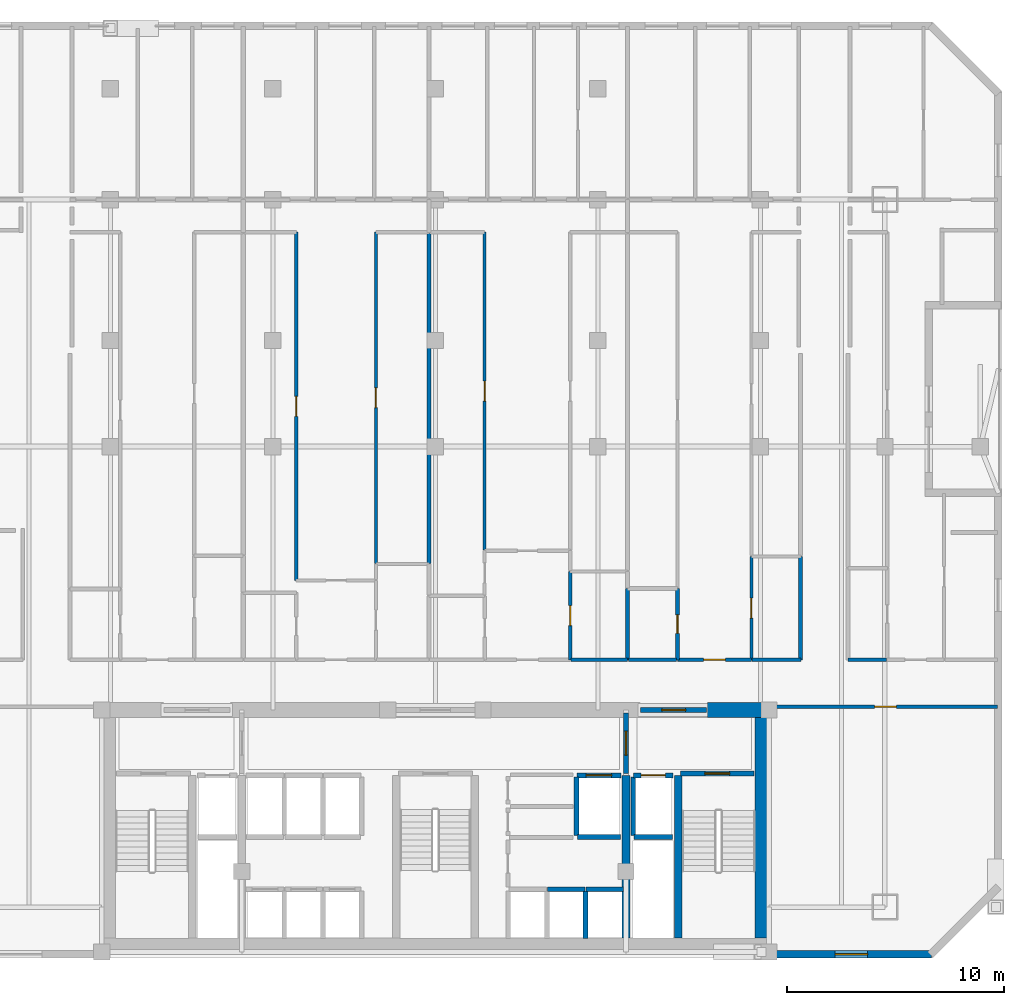
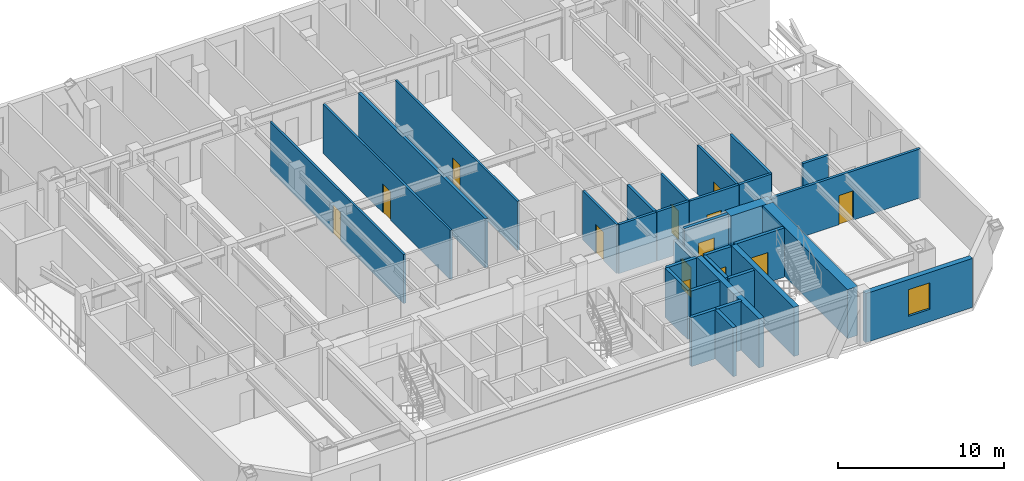
# One storey, part 5 of 11: 32 walls, 13 doors, 1 window, 14 openings.
"""IFC4 building model written with IfcOpenShell, lengths in metres."""

from ifc_helpers import new_model, si_unit, direction, frame, frame_2d, origin, place, context, subcontext, project, spatial, rectangle, extrude, material, layer, layer_set, type_object, element, fill, save


model = new_model("IFC4")

# Units and contexts
model_context = context("Model", 3, precision=1e-05, world=origin(), true_north=direction((0.0, 1.0)))
body_context = subcontext(model_context, "Body", "Model", "MODEL_VIEW")
ifc_project = project(units=[si_unit("LENGTHUNIT", "METRE"), si_unit("AREAUNIT", "SQUARE_METRE"), si_unit("VOLUMEUNIT", "CUBIC_METRE"), si_unit("PLANEANGLEUNIT", "RADIAN"), si_unit("MASSUNIT", "GRAM", prefix="KILO")], contexts=[model_context])

# Site, building, storey
site_placement = place(None, origin())
site = spatial("IfcSite", under=ifc_project, at=site_placement, CompositionType="ELEMENT")
building_placement = place(site_placement, origin())
building = spatial("IfcBuilding", under=site, at=building_placement, Name="Ventersveld Concourse Tower", CompositionType="ELEMENT")
storey_placement = place(building_placement, frame((0.0, 0.0, 119.550048828125)))
storey = spatial("IfcBuildingStorey", under=building, at=storey_placement, Name="L29", CompositionType="ELEMENT", Elevation=119.550048828125)

# Walls
ifc_material_1 = material(Name="Concrete C60/75", Category="concrete")
ifc_layer_1 = layer(ifc_material_1, 0.35009765625)
ifc_layer_set_1 = layer_set([ifc_layer_1], Name="Concrete C60/75")
wall_type_1 = type_object("IfcWallType", Name="WL-CORE-350L", PredefinedType="SHEAR", material=ifc_layer_set_1)
for number, where, z_axis, x_axis, name in (
    (1, (37.550048828125, 0.919921875, 0.0), (0.0, 0.0, 1.0), (0.0, 1.0, 0.0), "L29 Core Internal Shear Web W-SVL-W"),
    (2, (39.9599609375, 0.919921875, 0.0), (0.0, 0.0, 1.0), (0.0, 1.0, 0.0), "L29 Core Internal Shear Web W-ST2-W"),
):
    element("IfcWall", number, at=place(storey_placement, frame(where, z_axis=z_axis, x_axis=x_axis)), inside=storey, type_object=wall_type_1, Name=name, PredefinedType="SHEAR", context=body_context, shape_type="SweptSolid", body=[
        extrude(rectangle(XDim=7.5, YDim=0.35009765625, at=frame_2d((3.75, 0.0))), origin(), (0.0, 0.0, 1.0), 3.599853515625),
    ])
ifc_layer_2 = layer(ifc_material_1, 0.699951171875)
ifc_layer_set_2 = layer_set([ifc_layer_2], Name="Concrete C60/75")
wall_type_2 = type_object("IfcWallType", Name="WL-CORE-700", PredefinedType="SHEAR", material=ifc_layer_set_2)
wall_1_placement = place(storey_placement, frame((43.85009765625, 0.919921875, 0.0), z_axis=(0.0, 0.0, 1.0), x_axis=(0.0, 1.0, 0.0)))
element("IfcWall", 3, at=wall_1_placement, inside=storey, type_object=wall_type_2, Name="L29 Rear Core East Shear Wall", PredefinedType="SHEAR", context=body_context, shape_type="SweptSolid", body=[
    extrude(rectangle(XDim=10.530029296875, YDim=0.699951171875, at=frame_2d((5.26513671875, 0.0))), origin(), (0.0, 0.0, 1.0), 3.599853515625),
])
wall_2_placement = place(storey_placement, frame((41.300048828125, 11.449951171875, 0.0), z_axis=(0.0, 0.0, 1.0), x_axis=(1.0, 0.0, 0.0)))
element("IfcWall", 4, at=wall_2_placement, inside=storey, type_object=wall_type_2, Name="L29 Rear Core North Shear Wall NE", PredefinedType="SHEAR", context=body_context, shape_type="SweptSolid", body=[
    extrude(rectangle(XDim=2.949951171875, YDim=0.699951171875, at=frame_2d((1.47509765625, 0.0))), origin(), (0.0, 0.0, 1.0), 3.599853515625),
])

# Wall, opening, door
ifc_material_2 = material(Name="Fire-rated autoclaved aerated masonry blockwork", Category="masonry")
ifc_layer_3 = layer(ifc_material_2, 0.179931640625)
ifc_layer_set_3 = layer_set([ifc_layer_3], Name="Fire-rated autoclaved aerated masonry blockwork")
wall_type_3 = type_object("IfcWallType", Name="WL-CORR-180", PredefinedType="PARTITIONING", material=ifc_layer_set_3)
wall_3_placement = place(storey_placement, frame((44.35498046875, 11.60009765625, 0.0), z_axis=(0.0, 0.0, 1.0), x_axis=(1.0, 0.0, 0.0)))
wall_3 = element("IfcWall", 5, at=wall_3_placement, inside=storey, type_object=wall_type_3, Name="L29 Interior Partition SP-L29-SE-OFF-SP-L29-COR", PredefinedType="PARTITIONING", context=body_context, shape_type="SweptSolid", body=[
    extrude(rectangle(XDim=10.3349609375, YDim=0.179931640625, at=frame_2d((5.16748046875, 0.0))), origin(), (0.0, 0.0, 1.0), 3.599853515625),
])
opening_1_placement = place(wall_3_placement, frame((4.66748046875, 0.0, 0.0)))
opening_1 = element("IfcOpeningElement", 6, at=opening_1_placement, cuts=wall_3, Name="Opening FD3", PredefinedType="OPENING", context=body_context, shape_type="SweptSolid", body=[
    extrude(rectangle(XDim=1.0, YDim=2.14990234375, at=frame_2d((0.5, 1.074951171875))), frame((0.0, 0.10009765625, 0.0), z_axis=(0.0, -1.0, 0.0), x_axis=(1.0, 0.0, 0.0)), (0.0, 0.0, 1.0), 0.199951171875),
])
ifc_material_3 = material(Name="Solid-core hardwood veneer timber", Category="wood")
door_type_1 = type_object("IfcDoorType", Name="DR-FLAT-100", OperationType="NOTDEFINED", PredefinedType="DOOR", material=ifc_material_3)
door_1_placement = place(opening_1_placement, origin())
door_1 = element("IfcDoor", 7, at=door_1_placement, inside=storey, type_object=door_type_1, Name="L29 Interior Door SP-L29-SE-OFF to SP-L29-COR (D-L29-1431)", OperationType="SINGLE_SWING_LEFT", OverallHeight=2.14990234375, OverallWidth=1.0, PredefinedType="DOOR", context=body_context, shape_type="SweptSolid", body=[
    extrude(rectangle(XDim=1.0, YDim=2.14990234375, at=frame_2d((0.5, 1.074951171875))), frame((0.0, 0.02490234375, 0.0), z_axis=(0.0, -1.0, 0.0), x_axis=(1.0, 0.0, 0.0)), (0.0, 0.0, 1.0), 0.050048828125),
])
fill(opening_1, door_1)

# Walls
wall_4_placement = place(storey_placement, frame((47.784912109375, 13.77001953125, 0.0), z_axis=(0.0, 0.0, 1.0), x_axis=(1.0, 0.0, 0.0)))
element("IfcWall", 8, at=wall_4_placement, inside=storey, type_object=wall_type_3, Name="L29 Interior Partition SP-L29-COR-SP-L29-29NE-BATH", PredefinedType="PARTITIONING", context=body_context, shape_type="SweptSolid", body=[
    extrude(rectangle(XDim=1.784423828125, YDim=0.179931640625, at=frame_2d((0.89208984375, 0.0))), origin(), (0.0, 0.0, 1.0), 3.599853515625),
])
wall_5_placement = place(storey_placement, frame((35.0126953125, 13.77001953125, 0.0), z_axis=(0.0, 0.0, 1.0), x_axis=(1.0, 0.0, 0.0)))
element("IfcWall", 9, at=wall_5_placement, inside=storey, type_object=wall_type_3, Name="L29 Interior Partition SP-L29-COR-SP-L29-29N3-KIT", PredefinedType="PARTITIONING", context=body_context, shape_type="SweptSolid", body=[
    extrude(rectangle(XDim=2.613037109375, YDim=0.179931640625, at=frame_2d((1.306640625, 0.0))), origin(), (0.0, 0.0, 1.0), 3.599853515625),
])

# Wall, opening, door
wall_6_placement = place(storey_placement, frame((39.92041015625, 13.77001953125, 0.0), z_axis=(0.0, 0.0, 1.0), x_axis=(1.0, 0.0, 0.0)))
wall_6 = element("IfcWall", 10, at=wall_6_placement, inside=storey, type_object=wall_type_3, Name="L29 Interior Partition SP-L29-COR-SP-L29-29N4-LIV", PredefinedType="PARTITIONING", context=body_context, shape_type="SweptSolid", body=[
    extrude(rectangle(XDim=3.42236328125, YDim=0.179931640625, at=frame_2d((1.711181640625, 0.0))), origin(), (0.0, 0.0, 1.0), 3.599853515625),
])
opening_2_placement = place(wall_6_placement, frame((1.211181640625, 0.0, 0.0)))
opening_2 = element("IfcOpeningElement", 11, at=opening_2_placement, cuts=wall_6, Name="Opening FD3", PredefinedType="OPENING", context=body_context, shape_type="SweptSolid", body=[
    extrude(rectangle(XDim=1.0, YDim=2.14990234375, at=frame_2d((0.5, 1.074951171875))), frame((0.0, 0.10009765625, 0.0), z_axis=(0.0, -1.0, 0.0), x_axis=(1.0, 0.0, 0.0)), (0.0, 0.0, 1.0), 0.199951171875),
])
door_2_placement = place(opening_2_placement, origin())
door_2 = element("IfcDoor", 12, at=door_2_placement, inside=storey, type_object=door_type_1, Name="L29 Interior Door SP-L29-COR to SP-L29-29N4-LIV (FD-L29-1437)", OperationType="SINGLE_SWING_LEFT", OverallHeight=2.14990234375, OverallWidth=1.0, PredefinedType="DOOR", context=body_context, shape_type="SweptSolid", body=[
    extrude(rectangle(XDim=1.0, YDim=2.14990234375, at=frame_2d((0.5, 1.074951171875))), frame((0.0, 0.02490234375, 0.0), z_axis=(0.0, -1.0, 0.0), x_axis=(1.0, 0.0, 0.0)), (0.0, 0.0, 1.0), 0.050048828125),
])
fill(opening_2, door_2)

# Walls
wall_7_placement = place(storey_placement, frame((37.65576171875, 13.77001953125, 0.0), z_axis=(0.0, 0.0, 1.0), x_axis=(1.0, 0.0, 0.0)))
element("IfcWall", 13, at=wall_7_placement, inside=storey, type_object=wall_type_3, Name="L29 Interior Partition SP-L29-COR-SP-L29-29N4-BATH", PredefinedType="PARTITIONING", context=body_context, shape_type="SweptSolid", body=[
    extrude(rectangle(XDim=2.234619140625, YDim=0.179931640625, at=frame_2d((1.1171875, 0.0))), origin(), (0.0, 0.0, 1.0), 3.599853515625),
])
wall_8_placement = place(storey_placement, frame((45.610107421875, 13.764892578125, 0.0), z_axis=(0.0, 0.0, 1.0), x_axis=(0.0, 1.0, 0.0)))
element("IfcWall", 14, at=wall_8_placement, inside=storey, type_object=wall_type_3, Name="L29 Interior Partition SP-L29-COR-SP-L29-29N4-KIT", PredefinedType="PARTITIONING", context=body_context, shape_type="SweptSolid", body=[
    extrude(rectangle(XDim=4.7783203125, YDim=0.179931640625, at=frame_2d((2.38916015625, 0.0))), origin(), (0.0, 0.0, 1.0), 3.599853515625),
])
wall_9_placement = place(storey_placement, frame((43.372802734375, 13.77001953125, 0.0), z_axis=(0.0, 0.0, 1.0), x_axis=(1.0, 0.0, 0.0)))
element("IfcWall", 15, at=wall_9_placement, inside=storey, type_object=wall_type_3, Name="L29 Interior Partition SP-L29-COR-SP-L29-29N4-KIT", PredefinedType="PARTITIONING", context=body_context, shape_type="SweptSolid", body=[
    extrude(rectangle(XDim=2.2421875, YDim=0.179931640625, at=frame_2d((1.12109375, 0.0))), origin(), (0.0, 0.0, 1.0), 3.599853515625),
])
ifc_layer_4 = layer(ifc_material_2, 0.199951171875)
ifc_layer_set_4 = layer_set([ifc_layer_4], Name="Fire-rated autoclaved aerated masonry blockwork")
wall_type_4 = type_object("IfcWallType", Name="WL-DEMISE-200", PredefinedType="PARTITIONING", material=ifc_layer_set_4)
wall_10_placement = place(storey_placement, frame((28.4560546875, 18.219482421875, 0.0), z_axis=(0.0, 0.0, 1.0), x_axis=(0.0, 1.0, 0.0)))
element("IfcWall", 16, at=wall_10_placement, inside=storey, type_object=wall_type_4, Name="L29 Interior Partition SP-L29-29N2-DENR-SP-L29-29N3-MEDL0", PredefinedType="PARTITIONING", context=body_context, shape_type="SweptSolid", body=[
    extrude(rectangle(XDim=15.24560546875, YDim=0.199951171875, at=frame_2d((7.622802734375, 0.0))), origin(), (0.0, 0.0, 1.0), 3.599853515625),
])
wall_11_placement = place(storey_placement, frame((37.620849609375, 13.764892578125, 0.0), z_axis=(0.0, 0.0, 1.0), x_axis=(0.0, 1.0, 0.0)))
element("IfcWall", 17, at=wall_11_placement, inside=storey, type_object=wall_type_4, Name="L29 Interior Partition SP-L29-29N3-KIT-SP-L29-29N4-BATH", PredefinedType="PARTITIONING", context=body_context, shape_type="SweptSolid", body=[
    extrude(rectangle(XDim=3.29638671875, YDim=0.199951171875, at=frame_2d((1.648193359375, 0.0))), origin(), (0.0, 0.0, 1.0), 3.599853515625),
])
ifc_layer_5 = layer(ifc_material_2, 0.219970703125)
ifc_layer_set_5 = layer_set([ifc_layer_5], Name="Fire-rated autoclaved aerated masonry blockwork")
wall_type_5 = type_object("IfcWallType", Name="WL-HOIST-220", PredefinedType="SOLIDWALL", material=ifc_layer_set_5)
wall_12_placement = place(storey_placement, frame((37.919921875, 5.590087890625, 0.0), z_axis=(0.0, 0.0, 1.0), x_axis=(1.0, 0.0, 0.0)))
element("IfcWall", 18, at=wall_12_placement, inside=storey, type_object=wall_type_5, Name="L29 Lift Hoistway Back Wall FFL-02", PredefinedType="SOLIDWALL", context=body_context, shape_type="SweptSolid", body=[
    extrude(rectangle(XDim=1.780029296875, YDim=0.219970703125, at=frame_2d((0.89013671875, 0.0))), origin(), (0.0, 0.0, 1.0), 3.599853515625),
])
wall_13_placement = place(storey_placement, frame((37.8798828125, 5.64990234375, 0.0), z_axis=(0.0, 0.0, 1.0), x_axis=(0.0, 1.0, 0.0)))
element("IfcWall", 19, at=wall_13_placement, inside=storey, type_object=wall_type_5, Name="L29 Lift Hoistway Side Wall FFL-02W", PredefinedType="SOLIDWALL", context=body_context, shape_type="SweptSolid", body=[
    extrude(rectangle(XDim=2.7001953125, YDim=0.219970703125, at=frame_2d((1.35009765625, 0.0))), origin(), (0.0, 0.0, 1.0), 3.599853515625),
])

# Wall, opening, door
wall_14_placement = place(storey_placement, frame((37.89990234375, 8.429931640625, 0.0), z_axis=(0.0, 0.0, 1.0), x_axis=(1.0, 0.0, 0.0)))
wall_14 = element("IfcWall", 20, at=wall_14_placement, inside=storey, type_object=wall_type_5, Name="L29 Lift Hoistway Front Wall FFL-02", PredefinedType="SOLIDWALL", context=body_context, shape_type="SweptSolid", body=[
    extrude(rectangle(XDim=1.820068359375, YDim=0.219970703125, at=frame_2d((0.91015625, 0.0))), origin(), (0.0, 0.0, 1.0), 3.599853515625),
])
opening_3_placement = place(wall_14_placement, frame((0.35009765625, 0.0, 0.0)))
opening_3 = element("IfcOpeningElement", 21, at=opening_3_placement, cuts=wall_14, Name="Opening LD1", PredefinedType="OPENING", context=body_context, shape_type="SweptSolid", body=[
    extrude(rectangle(XDim=1.1201171875, YDim=2.25, at=frame_2d((0.56005859375, 1.125))), frame((0.0, 0.1201171875, 0.0), z_axis=(0.0, -1.0, 0.0), x_axis=(1.0, 0.0, 0.0)), (0.0, 0.0, 1.0), 0.239990234375),
])
ifc_material_4 = material(Name="Brushed stainless steel 316", Category="steel")
door_type_2 = type_object("IfcDoorType", Name="LD-FF-112", OperationType="SLIDING_TO_LEFT", PredefinedType="DOOR", material=ifc_material_4)
door_3_placement = place(opening_3_placement, origin())
door_3 = element("IfcDoor", 22, at=door_3_placement, inside=storey, type_object=door_type_2, Name="L29 Lift landing door FFL-02 (LD-L29-FFL-02)", OperationType="SLIDING_TO_RIGHT", OverallHeight=2.25, OverallWidth=1.1201171875, PredefinedType="DOOR", context=body_context, shape_type="SweptSolid", body=[
    extrude(rectangle(XDim=1.1201171875, YDim=2.25, at=frame_2d((0.56005859375, 1.125))), frame((0.0, 0.02490234375, 0.0), z_axis=(0.0, -1.0, 0.0), x_axis=(1.0, 0.0, 0.0)), (0.0, 0.0, 1.0), 0.050048828125),
])
fill(opening_3, door_3)

# Walls
wall_15_placement = place(storey_placement, frame((35.300048828125, 5.590087890625, 0.0), z_axis=(0.0, 0.0, 1.0), x_axis=(1.0, 0.0, 0.0)))
element("IfcWall", 23, at=wall_15_placement, inside=storey, type_object=wall_type_5, Name="L29 Lift Hoistway Back Wall SVL-01", PredefinedType="SOLIDWALL", context=body_context, shape_type="SweptSolid", body=[
    extrude(rectangle(XDim=2.0, YDim=0.219970703125, at=frame_2d((1.0, 0.0))), origin(), (0.0, 0.0, 1.0), 3.599853515625),
])
wall_16_placement = place(storey_placement, frame((35.260009765625, 5.64990234375, 0.0), z_axis=(0.0, 0.0, 1.0), x_axis=(0.0, 1.0, 0.0)))
element("IfcWall", 24, at=wall_16_placement, inside=storey, type_object=wall_type_5, Name="L29 Lift Hoistway Side Wall SVL-01W", PredefinedType="SOLIDWALL", context=body_context, shape_type="SweptSolid", body=[
    extrude(rectangle(XDim=2.7001953125, YDim=0.219970703125, at=frame_2d((1.35009765625, 0.0))), origin(), (0.0, 0.0, 1.0), 3.599853515625),
])

# Wall, opening, door
wall_17_placement = place(storey_placement, frame((35.280029296875, 8.429931640625, 0.0), z_axis=(0.0, 0.0, 1.0), x_axis=(1.0, 0.0, 0.0)))
wall_17 = element("IfcWall", 25, at=wall_17_placement, inside=storey, type_object=wall_type_5, Name="L29 Lift Hoistway Front Wall SVL-01", PredefinedType="SOLIDWALL", context=body_context, shape_type="SweptSolid", body=[
    extrude(rectangle(XDim=2.0400390625, YDim=0.219970703125, at=frame_2d((1.02001953125, 0.0))), origin(), (0.0, 0.0, 1.0), 3.599853515625),
])
opening_4_placement = place(wall_17_placement, frame((0.429931640625, 0.0, 0.0)))
opening_4 = element("IfcOpeningElement", 26, at=opening_4_placement, cuts=wall_17, Name="Opening LD2", PredefinedType="OPENING", context=body_context, shape_type="SweptSolid", body=[
    extrude(rectangle(XDim=1.179931640625, YDim=2.199951171875, at=frame_2d((0.58984375, 1.10009765625))), frame((0.0, 0.1201171875, 0.0), z_axis=(0.0, -1.0, 0.0), x_axis=(1.0, 0.0, 0.0)), (0.0, 0.0, 1.0), 0.239990234375),
])
door_type_3 = type_object("IfcDoorType", Name="LD-PAX-118", OperationType="SLIDING_TO_LEFT", PredefinedType="DOOR", material=ifc_material_4)
door_4_placement = place(opening_4_placement, origin())
door_4 = element("IfcDoor", 27, at=door_4_placement, inside=storey, type_object=door_type_3, Name="L29 Lift landing door SVL-01 (LD-L29-SVL-01)", OperationType="SLIDING_TO_LEFT", OverallHeight=2.199951171875, OverallWidth=1.179931640625, PredefinedType="DOOR", context=body_context, shape_type="SweptSolid", body=[
    extrude(rectangle(XDim=1.179931640625, YDim=2.199951171875, at=frame_2d((0.58984375, 1.10009765625))), frame((0.0, 0.02490234375, 0.0), z_axis=(0.0, -1.0, 0.0), x_axis=(1.0, 0.0, 0.0)), (0.0, 0.0, 1.0), 0.050048828125),
])
fill(opening_4, door_4)

# Walls
wall_18_placement = place(storey_placement, frame((35.679931640625, 0.89990234375, 0.0), z_axis=(0.0, 0.0, 1.0), x_axis=(0.0, 1.0, 0.0)))
element("IfcWall", 28, at=wall_18_placement, inside=storey, type_object=wall_type_5, Name="L29 Lift Hoistway Side Wall PM-02E", PredefinedType="SOLIDWALL", context=body_context, shape_type="SweptSolid", body=[
    extrude(rectangle(XDim=2.2001953125, YDim=0.219970703125, at=frame_2d((1.10009765625, 0.0))), origin(), (0.0, 0.0, 1.0), 3.599853515625),
])
for number, where, z_axis, x_axis, name in (
    (29, (33.919921875, 3.179931640625, 0.0), (0.0, 0.0, 1.0), (1.0, 0.0, 0.0), "L29 Lift Hoistway Front Wall PM-02"),
    (30, (35.699951171875, 3.179931640625, 0.0), (0.0, 0.0, 1.0), (1.0, 0.0, 0.0), "L29 Lift Hoistway Front Wall PM-03"),
):
    element("IfcWall", number, at=place(storey_placement, frame(where, z_axis=z_axis, x_axis=x_axis)), inside=storey, type_object=wall_type_5, Name=name, PredefinedType="SOLIDWALL", context=body_context, shape_type="SweptSolid", body=[
        extrude(rectangle(XDim=1.739990234375, YDim=0.219970703125, at=frame_2d((0.8701171875, 0.0))), origin(), (0.0, 0.0, 1.0), 3.599853515625),
    ])

# Wall, opening, door
wall_19_placement = place(storey_placement, frame((40.06005859375, 8.52001953125, 0.0), z_axis=(0.0, 0.0, 1.0), x_axis=(1.0, 0.0, 0.0)))
wall_19 = element("IfcWall", 31, at=wall_19_placement, inside=storey, type_object=wall_type_5, Name="L29 Escape Stair ST02 Fire Wall", PredefinedType="SOLIDWALL", context=body_context, shape_type="SweptSolid", body=[
    extrude(rectangle(XDim=3.39990234375, YDim=0.219970703125, at=frame_2d((1.699951171875, 0.0))), origin(), (0.0, 0.0, 1.0), 3.599853515625),
])
opening_5_placement = place(wall_19_placement, frame((1.125, 0.0, 0.0)))
opening_5 = element("IfcOpeningElement", 32, at=opening_5_placement, cuts=wall_19, Name="Opening FD1", PredefinedType="OPENING", context=body_context, shape_type="SweptSolid", body=[
    extrude(rectangle(XDim=1.14990234375, YDim=2.199951171875, at=frame_2d((0.574951171875, 1.10009765625))), frame((0.0, 0.1201171875, 0.0), z_axis=(0.0, -1.0, 0.0), x_axis=(1.0, 0.0, 0.0)), (0.0, 0.0, 1.0), 0.239990234375),
])
ifc_material_5 = material(Name="Galvanised painted steel", Category="steel")
door_type_4 = type_object("IfcDoorType", Name="DR-STAIR-115", OperationType="NOTDEFINED", PredefinedType="DOOR", material=ifc_material_5)
door_5_placement = place(opening_5_placement, origin())
door_5 = element("IfcDoor", 33, at=door_5_placement, inside=storey, type_object=door_type_4, Name="L29 Escape Stair Door ST02 (SD-L29-1420)", OperationType="SINGLE_SWING_RIGHT", OverallHeight=2.199951171875, OverallWidth=1.14990234375, PredefinedType="DOOR", context=body_context, shape_type="SweptSolid", body=[
    extrude(rectangle(XDim=1.14990234375, YDim=2.199951171875, at=frame_2d((0.574951171875, 1.10009765625))), frame((0.0, 0.02490234375, 0.0), z_axis=(0.0, -1.0, 0.0), x_axis=(1.0, 0.0, 0.0)), (0.0, 0.0, 1.0), 0.050048828125),
])
fill(opening_5, door_5)

wall_20_placement = place(storey_placement, frame((37.550048828125, 8.52001953125, 0.0), z_axis=(0.0, 0.0, 1.0), x_axis=(0.0, 1.0, 0.0)))
wall_20 = element("IfcWall", 34, at=wall_20_placement, inside=storey, type_object=wall_type_5, Name="L29 Firefighting Lobby Smoke-Stop Wall FFLE-SEP", PredefinedType="SOLIDWALL", context=body_context, shape_type="SweptSolid", body=[
    extrude(rectangle(XDim=2.800048828125, YDim=0.219970703125, at=frame_2d((1.39990234375, 0.0))), origin(), (0.0, 0.0, 1.0), 3.055419921875),
])
opening_6_placement = place(wall_20_placement, frame((0.85009765625, 0.0, 0.0)))
opening_6 = element("IfcOpeningElement", 35, at=opening_6_placement, cuts=wall_20, Name="Opening FD2", PredefinedType="OPENING", context=body_context, shape_type="SweptSolid", body=[
    extrude(rectangle(XDim=1.10009765625, YDim=2.199951171875, at=frame_2d((0.550048828125, 1.10009765625))), frame((0.0, 0.1201171875, 0.0), z_axis=(0.0, -1.0, 0.0), x_axis=(1.0, 0.0, 0.0)), (0.0, 0.0, 1.0), 0.239990234375),
])
door_type_5 = type_object("IfcDoorType", Name="DR-FFL-110", OperationType="NOTDEFINED", PredefinedType="DOOR", material=ifc_material_5)
door_6_placement = place(opening_6_placement, origin())
door_6 = element("IfcDoor", 36, at=door_6_placement, inside=storey, type_object=door_type_5, Name="L29 Firefighting Lobby Door FFLE-SEP (FD-L29-1423)", OperationType="SINGLE_SWING_RIGHT", OverallHeight=2.199951171875, OverallWidth=1.10009765625, PredefinedType="DOOR", context=body_context, shape_type="SweptSolid", body=[
    extrude(rectangle(XDim=1.10009765625, YDim=2.199951171875, at=frame_2d((0.550048828125, 1.10009765625))), frame((0.0, 0.02490234375, 0.0), z_axis=(0.0, -1.0, 0.0), x_axis=(1.0, 0.0, 0.0)), (0.0, 0.0, 1.0), 0.050048828125),
])
fill(opening_6, door_6)

wall_21_placement = place(storey_placement, frame((38.22998046875, 11.449951171875, 0.0), z_axis=(0.0, 0.0, 1.0), x_axis=(1.0, 0.0, 0.0)))
wall_21 = element("IfcWall", 37, at=wall_21_placement, inside=storey, type_object=wall_type_5, Name="L29 Core North Fire Portal FFLE-OUT", PredefinedType="SOLIDWALL", context=body_context, shape_type="SweptSolid", body=[
    extrude(rectangle(XDim=3.0400390625, YDim=0.219970703125, at=frame_2d((1.52001953125, 0.0))), origin(), (0.0, 0.0, 1.0), 3.599853515625),
])
opening_7_placement = place(wall_21_placement, frame((0.969970703125, 0.0, 0.0)))
opening_7 = element("IfcOpeningElement", 38, at=opening_7_placement, cuts=wall_21, Name="Opening FD2", PredefinedType="OPENING", context=body_context, shape_type="SweptSolid", body=[
    extrude(rectangle(XDim=1.10009765625, YDim=2.199951171875, at=frame_2d((0.550048828125, 1.10009765625))), frame((0.0, 0.1201171875, 0.0), z_axis=(0.0, -1.0, 0.0), x_axis=(1.0, 0.0, 0.0)), (0.0, 0.0, 1.0), 0.239990234375),
])
door_7_placement = place(opening_7_placement, origin())
door_7 = element("IfcDoor", 39, at=door_7_placement, inside=storey, type_object=door_type_5, Name="L29 Core Lobby Fire Door FFLE-OUT (FD-L29-1426)", OperationType="SINGLE_SWING_LEFT", OverallHeight=2.199951171875, OverallWidth=1.10009765625, PredefinedType="DOOR", context=body_context, shape_type="SweptSolid", body=[
    extrude(rectangle(XDim=1.10009765625, YDim=2.199951171875, at=frame_2d((0.550048828125, 1.10009765625))), frame((0.0, 0.02490234375, 0.0), z_axis=(0.0, -1.0, 0.0), x_axis=(1.0, 0.0, 0.0)), (0.0, 0.0, 1.0), 0.050048828125),
])
fill(opening_7, door_7)

ifc_material_6 = material(Name="Autoclaved aerated masonry blockwork", Category="masonry")
ifc_layer_6 = layer(ifc_material_6, 0.14990234375)
ifc_layer_set_6 = layer_set([ifc_layer_6], Name="Autoclaved aerated masonry blockwork")
wall_type_6 = type_object("IfcWallType", Name="WL-INT-150", PredefinedType="PARTITIONING", material=ifc_layer_set_6)
wall_22_placement = place(storey_placement, frame((22.326416015625, 17.42529296875, 0.0), z_axis=(0.0, 0.0, 1.0), x_axis=(0.0, 1.0, 0.0)))
wall_22 = element("IfcWall", 40, at=wall_22_placement, inside=storey, type_object=wall_type_6, Name="L29 Interior Partition SP-L29-29N2-LIV-SP-L29-29N2-MEDL0", PredefinedType="PARTITIONING", context=body_context, shape_type="SweptSolid", body=[
    extrude(rectangle(XDim=16.07958984375, YDim=0.14990234375, at=frame_2d((8.039794921875, 0.0))), origin(), (0.0, 0.0, 1.0), 3.599853515625),
])
opening_8_placement = place(wall_22_placement, frame((7.579833984375, 0.0, 0.0)))
opening_8 = element("IfcOpeningElement", 41, at=opening_8_placement, cuts=wall_22, Name="Opening ID1", PredefinedType="OPENING", context=body_context, shape_type="SweptSolid", body=[
    extrude(rectangle(XDim=0.919921875, YDim=2.10009765625, at=frame_2d((0.4599609375, 1.050048828125))), frame((0.0, 0.0849609375, 0.0), z_axis=(0.0, -1.0, 0.0), x_axis=(1.0, 0.0, 0.0)), (0.0, 0.0, 1.0), 0.169921875),
])
door_type_6 = type_object("IfcDoorType", Name="DR-ROOM-092", OperationType="NOTDEFINED", PredefinedType="DOOR", material=ifc_material_3)
door_8_placement = place(opening_8_placement, origin())
door_8 = element("IfcDoor", 42, at=door_8_placement, inside=storey, type_object=door_type_6, Name="L29 Interior Door SP-L29-29N2-LIV to SP-L29-29N2-MEDL0 (D-L29-1457)", OperationType="SINGLE_SWING_LEFT", OverallHeight=2.10009765625, OverallWidth=0.919921875, PredefinedType="DOOR", context=body_context, shape_type="SweptSolid", body=[
    extrude(rectangle(XDim=0.919921875, YDim=2.10009765625, at=frame_2d((0.4599609375, 1.050048828125))), frame((0.0, 0.02490234375, 0.0), z_axis=(0.0, -1.0, 0.0), x_axis=(1.0, 0.0, 0.0)), (0.0, 0.0, 1.0), 0.050048828125),
])
fill(opening_8, door_8)

wall_23_placement = place(storey_placement, frame((26.009033203125, 18.219482421875, 0.0), z_axis=(0.0, 0.0, 1.0), x_axis=(0.0, 1.0, 0.0)))
wall_23 = element("IfcWall", 43, at=wall_23_placement, inside=storey, type_object=wall_type_6, Name="L29 Interior Partition SP-L29-29N2-LIV-SP-L29-29N2-DENR", PredefinedType="PARTITIONING", context=body_context, shape_type="SweptSolid", body=[
    extrude(rectangle(XDim=15.285400390625, YDim=0.14990234375, at=frame_2d((7.642578125, 0.0))), origin(), (0.0, 0.0, 1.0), 3.599853515625),
])
opening_9_placement = place(wall_23_placement, frame((7.182861328125, 0.0, 0.0)))
opening_9 = element("IfcOpeningElement", 44, at=opening_9_placement, cuts=wall_23, Name="Opening ID1", PredefinedType="OPENING", context=body_context, shape_type="SweptSolid", body=[
    extrude(rectangle(XDim=0.919921875, YDim=2.10009765625, at=frame_2d((0.4599609375, 1.050048828125))), frame((0.0, 0.0849609375, 0.0), z_axis=(0.0, -1.0, 0.0), x_axis=(1.0, 0.0, 0.0)), (0.0, 0.0, 1.0), 0.169921875),
])
door_9_placement = place(opening_9_placement, origin())
door_9 = element("IfcDoor", 45, at=door_9_placement, inside=storey, type_object=door_type_6, Name="L29 Interior Door SP-L29-29N2-LIV to SP-L29-29N2-DENR (D-L29-1458)", OperationType="SINGLE_SWING_RIGHT", OverallHeight=2.10009765625, OverallWidth=0.919921875, PredefinedType="DOOR", context=body_context, shape_type="SweptSolid", body=[
    extrude(rectangle(XDim=0.919921875, YDim=2.10009765625, at=frame_2d((0.4599609375, 1.050048828125))), frame((0.0, 0.02490234375, 0.0), z_axis=(0.0, -1.0, 0.0), x_axis=(1.0, 0.0, 0.0)), (0.0, 0.0, 1.0), 0.050048828125),
])
fill(opening_9, door_9)

wall_24_placement = place(storey_placement, frame((34.9775390625, 13.764892578125, 0.0), z_axis=(0.0, 0.0, 1.0), x_axis=(0.0, 1.0, 0.0)))
wall_24 = element("IfcWall", 46, at=wall_24_placement, inside=storey, type_object=wall_type_6, Name="L29 Interior Partition SP-L29-29N3-FOY-SP-L29-29N3-KIT", PredefinedType="PARTITIONING", context=body_context, shape_type="SweptSolid", body=[
    extrude(rectangle(XDim=4.08740234375, YDim=0.14990234375, at=frame_2d((2.043701171875, 0.0))), origin(), (0.0, 0.0, 1.0), 3.599853515625),
])
opening_10_placement = place(wall_24_placement, frame((1.583740234375, 0.0, 0.0)))
opening_10 = element("IfcOpeningElement", 47, at=opening_10_placement, cuts=wall_24, Name="Opening ID1", PredefinedType="OPENING", context=body_context, shape_type="SweptSolid", body=[
    extrude(rectangle(XDim=0.919921875, YDim=2.10009765625, at=frame_2d((0.4599609375, 1.050048828125))), frame((0.0, 0.0849609375, 0.0), z_axis=(0.0, -1.0, 0.0), x_axis=(1.0, 0.0, 0.0)), (0.0, 0.0, 1.0), 0.169921875),
])
door_10_placement = place(opening_10_placement, origin())
door_10 = element("IfcDoor", 48, at=door_10_placement, inside=storey, type_object=door_type_6, Name="L29 Interior Door SP-L29-29N3-FOY to SP-L29-29N3-KIT (D-L29-1465)", OperationType="SINGLE_SWING_LEFT", OverallHeight=2.10009765625, OverallWidth=0.919921875, PredefinedType="DOOR", context=body_context, shape_type="SweptSolid", body=[
    extrude(rectangle(XDim=0.919921875, YDim=2.10009765625, at=frame_2d((0.4599609375, 1.050048828125))), frame((0.0, 0.02490234375, 0.0), z_axis=(0.0, -1.0, 0.0), x_axis=(1.0, 0.0, 0.0)), (0.0, 0.0, 1.0), 0.050048828125),
])
fill(opening_10, door_10)

wall_25_placement = place(storey_placement, frame((31.024658203125, 18.83544921875, 0.0), z_axis=(0.0, 0.0, 1.0), x_axis=(0.0, 1.0, 0.0)))
wall_25 = element("IfcWall", 49, at=wall_25_placement, inside=storey, type_object=wall_type_6, Name="L29 Interior Partition SP-L29-29N3-LIV-SP-L29-29N3-MEDL0", PredefinedType="PARTITIONING", context=body_context, shape_type="SweptSolid", body=[
    extrude(rectangle(XDim=14.66943359375, YDim=0.14990234375, at=frame_2d((7.334716796875, 0.0))), origin(), (0.0, 0.0, 1.0), 3.599853515625),
])
opening_11_placement = place(wall_25_placement, frame((6.874755859375, 0.0, 0.0)))
opening_11 = element("IfcOpeningElement", 50, at=opening_11_placement, cuts=wall_25, Name="Opening ID1", PredefinedType="OPENING", context=body_context, shape_type="SweptSolid", body=[
    extrude(rectangle(XDim=0.919921875, YDim=2.10009765625, at=frame_2d((0.4599609375, 1.050048828125))), frame((0.0, 0.0849609375, 0.0), z_axis=(0.0, -1.0, 0.0), x_axis=(1.0, 0.0, 0.0)), (0.0, 0.0, 1.0), 0.169921875),
])
door_11_placement = place(opening_11_placement, origin())
door_11 = element("IfcDoor", 51, at=door_11_placement, inside=storey, type_object=door_type_6, Name="L29 Interior Door SP-L29-29N3-LIV to SP-L29-29N3-MEDL0 (D-L29-1466)", OperationType="SINGLE_SWING_RIGHT", OverallHeight=2.10009765625, OverallWidth=0.919921875, PredefinedType="DOOR", context=body_context, shape_type="SweptSolid", body=[
    extrude(rectangle(XDim=0.919921875, YDim=2.10009765625, at=frame_2d((0.4599609375, 1.050048828125))), frame((0.0, 0.02490234375, 0.0), z_axis=(0.0, -1.0, 0.0), x_axis=(1.0, 0.0, 0.0)), (0.0, 0.0, 1.0), 0.050048828125),
])
fill(opening_11, door_11)

wall_26_placement = place(storey_placement, frame((43.337646484375, 13.764892578125, 0.0), z_axis=(0.0, 0.0, 1.0), x_axis=(0.0, 1.0, 0.0)))
wall_26 = element("IfcWall", 52, at=wall_26_placement, inside=storey, type_object=wall_type_6, Name="L29 Interior Partition SP-L29-29N4-LIV-SP-L29-29N4-KIT", PredefinedType="PARTITIONING", context=body_context, shape_type="SweptSolid", body=[
    extrude(rectangle(XDim=4.7783203125, YDim=0.14990234375, at=frame_2d((2.38916015625, 0.0))), origin(), (0.0, 0.0, 1.0), 3.599853515625),
])
opening_12_placement = place(wall_26_placement, frame((1.92919921875, 0.0, 0.0)))
opening_12 = element("IfcOpeningElement", 53, at=opening_12_placement, cuts=wall_26, Name="Opening ID1", PredefinedType="OPENING", context=body_context, shape_type="SweptSolid", body=[
    extrude(rectangle(XDim=0.919921875, YDim=2.10009765625, at=frame_2d((0.4599609375, 1.050048828125))), frame((0.0, 0.0849609375, 0.0), z_axis=(0.0, -1.0, 0.0), x_axis=(1.0, 0.0, 0.0)), (0.0, 0.0, 1.0), 0.169921875),
])
door_12_placement = place(opening_12_placement, origin())
door_12 = element("IfcDoor", 54, at=door_12_placement, inside=storey, type_object=door_type_6, Name="L29 Interior Door SP-L29-29N4-LIV to SP-L29-29N4-KIT (D-L29-1474)", OperationType="SINGLE_SWING_RIGHT", OverallHeight=2.10009765625, OverallWidth=0.919921875, PredefinedType="DOOR", context=body_context, shape_type="SweptSolid", body=[
    extrude(rectangle(XDim=0.919921875, YDim=2.10009765625, at=frame_2d((0.4599609375, 1.050048828125))), frame((0.0, 0.02490234375, 0.0), z_axis=(0.0, -1.0, 0.0), x_axis=(1.0, 0.0, 0.0)), (0.0, 0.0, 1.0), 0.050048828125),
])
fill(opening_12, door_12)

# Wall, opening, window
ifc_material_7 = material(Name="Precast concrete C45/55", Category="concrete")
ifc_layer_7 = layer(ifc_material_7, 0.35009765625)
ifc_layer_set_7 = layer_set([ifc_layer_7], Name="Precast concrete C45/55")
wall_type_7 = type_object("IfcWallType", Name="WL-PREC-350", PredefinedType="SOLIDWALL", material=ifc_layer_set_7)
wall_27_placement = place(storey_placement, frame((44.25, 0.179931640625, 0.0), z_axis=(0.0, 0.0, 1.0), x_axis=(1.0, 0.0, 0.0)))
wall_27 = element("IfcWall", 55, at=wall_27_placement, inside=storey, type_object=wall_type_7, Name="L29 South-East Flank Precast Wall", PredefinedType="SOLIDWALL", context=body_context, shape_type="SweptSolid", body=[
    extrude(rectangle(XDim=7.409912109375, YDim=0.35009765625, at=frame_2d((3.705078125, 0.0))), origin(), (0.0, 0.0, 1.0), 3.599853515625),
])
opening_13_placement = place(wall_27_placement, frame((2.955078125, 0.0, 0.89990234375)))
opening_13 = element("IfcOpeningElement", 56, at=opening_13_placement, cuts=wall_27, Name="Opening W1", PredefinedType="OPENING", context=body_context, shape_type="SweptSolid", body=[
    extrude(rectangle(XDim=1.5, YDim=1.949951171875, at=frame_2d((0.75, 0.97509765625))), frame((0.0, 0.18505859375, 0.0), z_axis=(0.0, -1.0, 0.0), x_axis=(1.0, 0.0, 0.0)), (0.0, 0.0, 1.0), 0.3701171875),
])
ifc_material_8 = material(Name="Tempered acoustic Low-E IGU", Category="glass")
window_type = type_object("IfcWindowType", Name="WIN-150x210", PartitioningType="SINGLE_PANEL", PredefinedType="WINDOW", material=ifc_material_8)
window_placement = place(opening_13_placement, origin())
window = element("IfcWindow", 57, at=window_placement, inside=storey, type_object=window_type, Name="L29 Punched Low-E Window W-0356", OverallHeight=1.949951171875, OverallWidth=1.5, PartitioningType="SINGLE_PANEL", PredefinedType="WINDOW", context=body_context, shape_type="SweptSolid", body=[
    extrude(rectangle(XDim=1.5, YDim=1.949951171875, at=frame_2d((0.75, 0.97509765625))), frame((0.0, 0.030029296875, 0.0), z_axis=(0.0, -1.0, 0.0), x_axis=(1.0, 0.0, 0.0)), (0.0, 0.0, 1.0), 0.06005859375),
])
fill(opening_13, window)

# Wall, opening, door
ifc_layer_8 = layer(ifc_material_6, 0.1650390625)
ifc_layer_set_8 = layer_set([ifc_layer_8], Name="Autoclaved aerated masonry blockwork")
wall_type_8 = type_object("IfcWallType", Name="WL-WET-165", PredefinedType="PLUMBINGWALL", material=ifc_layer_set_8)
wall_28_placement = place(storey_placement, frame((39.925537109375, 13.764892578125, 0.0), z_axis=(0.0, 0.0, 1.0), x_axis=(0.0, 1.0, 0.0)))
wall_28 = element("IfcWall", 58, at=wall_28_placement, inside=storey, type_object=wall_type_8, Name="L29 Interior Partition SP-L29-29N4-LIV-SP-L29-29N4-BATH", PredefinedType="PLUMBINGWALL", context=body_context, shape_type="SweptSolid", body=[
    extrude(rectangle(XDim=3.29638671875, YDim=0.1650390625, at=frame_2d((1.648193359375, 0.0))), origin(), (0.0, 0.0, 1.0), 3.599853515625),
])
opening_14_placement = place(wall_28_placement, frame((1.22314453125, 0.0, 0.0)))
opening_14 = element("IfcOpeningElement", 59, at=opening_14_placement, cuts=wall_28, Name="Opening ID2", PredefinedType="OPENING", context=body_context, shape_type="SweptSolid", body=[
    extrude(rectangle(XDim=0.85009765625, YDim=2.10009765625, at=frame_2d((0.425048828125, 1.050048828125))), frame((0.0, 0.092529296875, 0.0), z_axis=(0.0, -1.0, 0.0), x_axis=(1.0, 0.0, 0.0)), (0.0, 0.0, 1.0), 0.18505859375),
])
door_type_7 = type_object("IfcDoorType", Name="DR-BATH-085", OperationType="NOTDEFINED", PredefinedType="DOOR", material=ifc_material_3)
door_13_placement = place(opening_14_placement, origin())
door_13 = element("IfcDoor", 60, at=door_13_placement, inside=storey, type_object=door_type_7, Name="L29 Interior Door SP-L29-29N4-LIV to SP-L29-29N4-BATH (D-L29-1472)", OperationType="SINGLE_SWING_RIGHT", OverallHeight=2.10009765625, OverallWidth=0.85009765625, PredefinedType="DOOR", context=body_context, shape_type="SweptSolid", body=[
    extrude(rectangle(XDim=0.85009765625, YDim=2.10009765625, at=frame_2d((0.425048828125, 1.050048828125))), frame((0.0, 0.02490234375, 0.0), z_axis=(0.0, -1.0, 0.0), x_axis=(1.0, 0.0, 0.0)), (0.0, 0.0, 1.0), 0.050048828125),
])
fill(opening_14, door_13)

save(model, "model.ifc")
